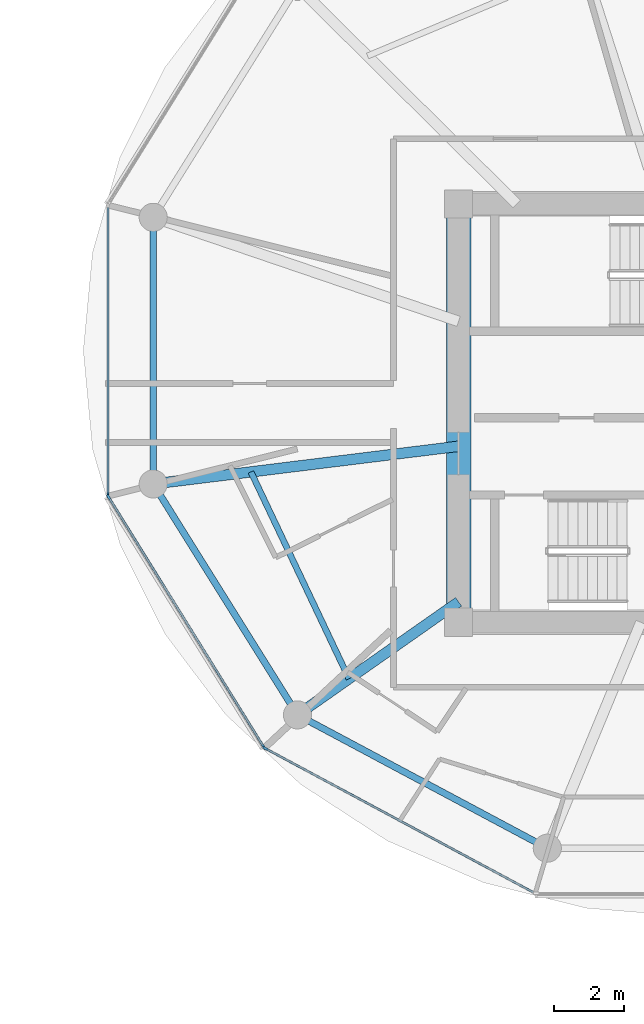
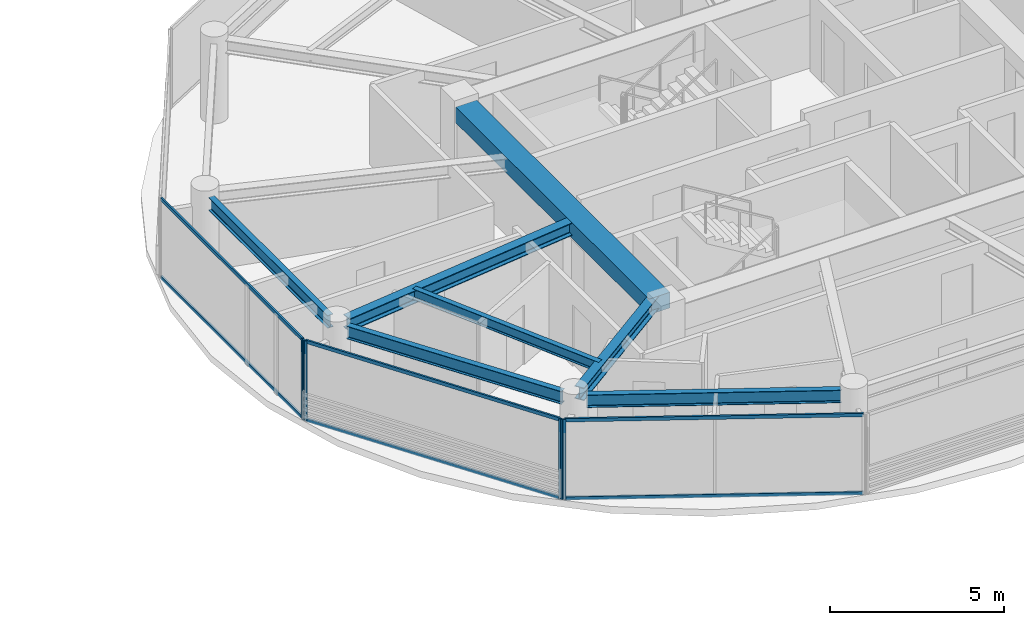
# One storey, part 6 of 23: 10 members, 7 beams, 3 elements without a shape of their own.
"""IFC4 building model written with IfcOpenShell, lengths in metres."""

from ifc_helpers import new_model, si_unit, direction, frame, origin, origin_2d, place, context, subcontext, project, spatial, rectangle, i_section, extrude, source, transform, mapped, material, layer, layer_set, material_profile, profile_set, type_object, type_shapes, element, aggregate, save


model = new_model("IFC4")

# Units and contexts
model_context = context("Model", 3, precision=1e-05, world=origin(), true_north=direction((0.0, 1.0)))
body_context = subcontext(model_context, "Body", "Model", "MODEL_VIEW")
ifc_project = project(units=[si_unit("LENGTHUNIT", "METRE"), si_unit("AREAUNIT", "SQUARE_METRE"), si_unit("VOLUMEUNIT", "CUBIC_METRE"), si_unit("PLANEANGLEUNIT", "RADIAN"), si_unit("MASSUNIT", "GRAM", prefix="KILO")], contexts=[model_context])

# Site, building, storey
site_placement = place(None, origin())
site = spatial("IfcSite", under=ifc_project, at=site_placement, CompositionType="ELEMENT")
building_placement = place(site_placement, origin())
building = spatial("IfcBuilding", under=site, at=building_placement, Name="Norrkilde Senior Care Towers", CompositionType="ELEMENT")
storey_placement = place(building_placement, frame((0.0, 0.0, 173.949951171875)))
storey = spatial("IfcBuildingStorey", under=building, at=storey_placement, Name="L54", CompositionType="ELEMENT", Elevation=173.949951171875)

# Beams
ifc_material_1 = material(Name="Concrete C60/75", Category="concrete")
ifc_material_profile_1 = material_profile(ifc_material_1, rectangle(XDim=0.699951171875, YDim=0.550048828125, at=origin_2d()), Name="RC BM 700x550")
ifc_profile_set_1 = profile_set([ifc_material_profile_1], Name="Concrete C60/75")
beam_type_1 = type_object("IfcBeamType", Name="Core Portal Coupling Beam 700x550", PredefinedType="USERDEFINED", material=ifc_profile_set_1)
shared_shape_1 = source(origin(), body_context, "Body", "SweptSolid", [
    extrude(rectangle(XDim=0.699951171875, YDim=0.550048828125, at=origin_2d()), origin(), (0.0, 0.0, 1.0), 11.14013671875),
])
type_shapes(beam_type_1, [shared_shape_1])
beam_1_placement = place(storey_placement, frame((20.35009765625, -5.570068359375, 2.53515625), z_axis=(0.0, 1.0, 0.0), x_axis=(-1.0, 0.0, 0.0)))
element("IfcBeam", 1, at=beam_1_placement, inside=storey, type_object=beam_type_1, Name="L54 Core E W Coupling Girder", ObjectType="GIRDER", PredefinedType="USERDEFINED", context=body_context, shape_type="MappedRepresentation", body=[
    mapped(shared_shape_1, transform((0.0, 0.0, 0.0), x_axis=(1.0, 0.0, 0.0), y_axis=(0.0, 1.0, 0.0), z_axis=(0.0, 0.0, 1.0), scale=1.0)),
])
ifc_material_2 = material(Name="Steel S355", Category="steel")
ifc_material_profile_2 = material_profile(ifc_material_2, i_section(OverallWidth=0.18994140625, OverallDepth=0.449951171875, WebThickness=0.009521484375, FlangeThickness=0.0146484375, FilletRadius=0.02099609375, at=origin_2d()), Name="IPE 450")
ifc_profile_set_2 = profile_set([ifc_material_profile_2], Name="Steel S355")
beam_type_2 = type_object("IfcBeamType", Name="Perimeter Ring Spandrel Z3 IPE450", PredefinedType="SPANDREL", material=ifc_profile_set_2)
shared_shape_2 = source(origin(), body_context, "Body", "SweptSolid", [
    extrude(i_section(OverallWidth=0.18994140625, OverallDepth=0.449951171875, WebThickness=0.009521484375, FlangeThickness=0.0146484375, FilletRadius=0.02099609375, at=origin_2d()), origin(), (0.0, 0.0, 1.0), 6.86328125),
])
beam_2_placement = place(storey_placement, frame((11.6650390625, 5.20703125, 2.5849609375), z_axis=(0.0, -1.0, 0.0), x_axis=(1.0, 0.0, 0.0)))
element("IfcBeam", 2, at=beam_2_placement, inside=storey, type_object=beam_type_2, Name="L54 Drum E Perimeter Spandrel 06", PredefinedType="SPANDREL", context=body_context, shape_type="MappedRepresentation", body=[
    mapped(shared_shape_2, transform((0.0, 0.0, 0.0), x_axis=(1.0, 0.0, 0.0), y_axis=(0.0, 1.0, 0.0), z_axis=(0.0, 0.0, 1.0), scale=1.0)),
])
shared_shape_3 = source(origin(), body_context, "Body", "SweptSolid", [
    extrude(i_section(OverallWidth=0.18994140625, OverallDepth=0.449951171875, WebThickness=0.009521484375, FlangeThickness=0.0146484375, FilletRadius=0.02099609375, at=origin_2d()), origin(), (0.0, 0.0, 1.0), 7.023193359375),
])
beam_3_placement = place(storey_placement, frame((11.855712890625, -2.32177734375, 2.5849609375), z_axis=(0.529805197269, -0.848119362441, 0.0), x_axis=(0.848119362441, 0.529805197269, 0.0)))
element("IfcBeam", 3, at=beam_3_placement, inside=storey, type_object=beam_type_2, Name="L54 Drum E Perimeter Spandrel 07", PredefinedType="SPANDREL", context=body_context, shape_type="MappedRepresentation", body=[
    mapped(shared_shape_3, transform((0.0, 0.0, 0.0), x_axis=(1.0, 0.0, 0.0), y_axis=(0.0, 1.0, 0.0), z_axis=(0.0, 0.0, 1.0), scale=1.0)),
])
shared_shape_4 = source(origin(), body_context, "Body", "SweptSolid", [
    extrude(i_section(OverallWidth=0.18994140625, OverallDepth=0.449951171875, WebThickness=0.009521484375, FlangeThickness=0.0146484375, FilletRadius=0.02099609375, at=origin_2d()), origin(), (0.0, 0.0, 1.0), 7.333984375),
])
type_shapes(beam_type_2, [shared_shape_2, shared_shape_3, shared_shape_4])
beam_4_placement = place(storey_placement, frame((16.0849609375, -8.753173828125, 2.5849609375), z_axis=(0.882234038987, -0.470811109101, 0.0), x_axis=(0.470811109101, 0.882234038987, 0.0)))
element("IfcBeam", 4, at=beam_4_placement, inside=storey, type_object=beam_type_2, Name="L54 Drum E Perimeter Spandrel 08", PredefinedType="SPANDREL", context=body_context, shape_type="MappedRepresentation", body=[
    mapped(shared_shape_4, transform((0.0, 0.0, 0.0), x_axis=(1.0, 0.0, 0.0), y_axis=(0.0, 1.0, 0.0), z_axis=(0.0, 0.0, 1.0), scale=1.0)),
])
ifc_material_profile_3 = material_profile(ifc_material_2, i_section(OverallWidth=0.300048828125, OverallDepth=0.449951171875, WebThickness=0.013916015625, FlangeThickness=0.02587890625, FilletRadius=0.027099609375, at=origin_2d()), Name="HEB 450")
ifc_profile_set_3 = profile_set([ifc_material_profile_3], Name="Steel S355")
beam_type_3 = type_object("IfcBeamType", Name="Radial Floor Beam Z3 HEB450", PredefinedType="BEAM", material=ifc_profile_set_3)
shared_shape_5 = source(origin(), body_context, "Body", "SweptSolid", [
    extrude(i_section(OverallWidth=0.300048828125, OverallDepth=0.449951171875, WebThickness=0.013916015625, FlangeThickness=0.02587890625, FilletRadius=0.027099609375, at=origin_2d()), origin(), (0.0, 0.0, 1.0), 5.23828125),
])
beam_5_placement = place(storey_placement, frame((20.35009765625, -5.3681640625, 2.5849609375), z_axis=(-0.818592061291, -0.574375345215, 0.0), x_axis=(0.574375345215, -0.818592061291, 0.0)))
element("IfcBeam", 5, at=beam_5_placement, inside=storey, type_object=beam_type_3, Name="L54 Drum E Radial Floor Beam 08", PredefinedType="BEAM", context=body_context, shape_type="MappedRepresentation", body=[
    mapped(shared_shape_5, transform((0.0, 0.0, 0.0), x_axis=(1.0, 0.0, 0.0), y_axis=(0.0, 1.0, 0.0), z_axis=(0.0, 0.0, 1.0), scale=1.0)),
])
shared_shape_6 = source(origin(), body_context, "Body", "SweptSolid", [
    extrude(i_section(OverallWidth=0.300048828125, OverallDepth=0.449951171875, WebThickness=0.013916015625, FlangeThickness=0.02587890625, FilletRadius=0.027099609375, at=origin_2d()), origin(), (0.0, 0.0, 1.0), 8.390869140625),
])
type_shapes(beam_type_3, [shared_shape_5, shared_shape_6])
beam_6_placement = place(storey_placement, frame((20.35009765625, -0.9443359375, 2.5849609375), z_axis=(-0.99246916403, -0.122494728249, 0.0), x_axis=(0.122494728249, -0.99246916403, 0.0)))
element("IfcBeam", 6, at=beam_6_placement, inside=storey, type_object=beam_type_3, Name="L54 Drum E Radial Floor Beam 07", PredefinedType="BEAM", context=body_context, shape_type="MappedRepresentation", body=[
    mapped(shared_shape_6, transform((0.0, 0.0, 0.0), x_axis=(1.0, 0.0, 0.0), y_axis=(0.0, 1.0, 0.0), z_axis=(0.0, 0.0, 1.0), scale=1.0)),
])
ifc_material_profile_4 = material_profile(ifc_material_2, i_section(OverallWidth=0.169921875, OverallDepth=0.360107421875, WebThickness=0.008056640625, FlangeThickness=0.0126953125, FilletRadius=0.01806640625, at=origin_2d()), Name="IPE 360")
ifc_profile_set_4 = profile_set([ifc_material_profile_4], Name="Steel S355")
beam_type_4 = type_object("IfcBeamType", Name="Secondary Floor Joist IPE360", PredefinedType="JOIST", material=ifc_profile_set_4)
shared_shape_7 = source(origin(), body_context, "Body", "SweptSolid", [
    extrude(i_section(OverallWidth=0.169921875, OverallDepth=0.360107421875, WebThickness=0.008056640625, FlangeThickness=0.0126953125, FilletRadius=0.01806640625, at=origin_2d()), origin(), (0.0, 0.0, 1.0), 6.50927734375),
])
type_shapes(beam_type_4, [shared_shape_7])
beam_7_placement = place(storey_placement, frame((14.4443359375, -1.67333984375, 2.630126953125), z_axis=(0.428544169129, -0.90352083269, 0.0), x_axis=(0.90352083269, 0.428544169129, 0.0)))
element("IfcBeam", 7, at=beam_7_placement, inside=storey, type_object=beam_type_4, Name="L54 Drum E Secondary Floor Joist 3", PredefinedType="JOIST", context=body_context, shape_type="MappedRepresentation", body=[
    mapped(shared_shape_7, transform((0.0, 0.0, 0.0), x_axis=(1.0, 0.0, 0.0), y_axis=(0.0, 1.0, 0.0), z_axis=(0.0, 0.0, 1.0), scale=1.0)),
])

# Curtain wall, member
ifc_material_3 = material(Name="Triple Low-E Insulated Glazing", Category="glass")
ifc_layer = layer(ifc_material_3, 0.18994140625)
ifc_layer_set = layer_set([ifc_layer], Name="Triple Low-E Insulated Glazing")
curtain_wall_type = type_object("IfcCurtainWallType", Name="CW4 Zone 3 Senior Residence Curtain Wall", PredefinedType="NOTDEFINED", material=ifc_layer_set)
curtain_wall_1_placement = place(storey_placement, origin())
curtain_wall_1 = element("IfcCurtainWall", 8, at=curtain_wall_1_placement, inside=storey, type_object=curtain_wall_type, Name="L54 Drum E Curtain Wall 05", PredefinedType="NOTDEFINED")
ifc_material_4 = material(Name="Anodised Aluminium", Category="aluminium")
ifc_material_profile_5 = material_profile(ifc_material_4, rectangle(XDim=0.06494140625, YDim=0.14990234375, at=origin_2d()), Name="ALU MULL 65x150")
ifc_profile_set_5 = profile_set([ifc_material_profile_5], Name="Anodised Aluminium")
member_type_1 = type_object("IfcMemberType", Name="Curtain Wall Mullion Z3-Z4 65x150", PredefinedType="MULLION", material=ifc_profile_set_5)
shared_shape_8 = source(origin(), body_context, "Body", "SweptSolid", [
    extrude(rectangle(XDim=0.06494140625, YDim=0.14990234375, at=origin_2d()), origin(), (0.0, 0.0, 1.0), 2.81005859375),
])
type_shapes(member_type_1, [shared_shape_8])
member_1_placement = place(storey_placement, frame((10.38037109375, -2.328125, 0.0), z_axis=(0.0, 0.0, 1.0), x_axis=(-1.0, 0.0, 0.0)))
member_1 = element("IfcMember", 9, at=member_1_placement, type_object=member_type_1, Name="CW-4 mullion 1", PredefinedType="MULLION", context=body_context, shape_type="MappedRepresentation", body=[
    mapped(shared_shape_8, transform((0.0, 0.0, 0.0), x_axis=(1.0, 0.0, 0.0), y_axis=(0.0, 1.0, 0.0), z_axis=(0.0, 0.0, 1.0), scale=1.0)),
])

# Curtain wall, members
curtain_wall_2_placement = place(storey_placement, origin())
curtain_wall_2 = element("IfcCurtainWall", 10, at=curtain_wall_2_placement, inside=storey, type_object=curtain_wall_type, Name="L54 Drum E Curtain Wall 06", PredefinedType="NOTDEFINED")
member_2_placement = place(storey_placement, frame((14.809814453125, -9.49658203125, 0.0), z_axis=(0.0, 0.0, 1.0), x_axis=(-0.84963405474, -0.52737270789, 0.0)))
member_2 = element("IfcMember", 11, at=member_2_placement, type_object=member_type_1, Name="CW-4 mullion 1", PredefinedType="MULLION", context=body_context, shape_type="MappedRepresentation", body=[
    mapped(shared_shape_8, transform((0.0, 0.0, 0.0), x_axis=(1.0, 0.0, 0.0), y_axis=(0.0, 1.0, 0.0), z_axis=(0.0, 0.0, 1.0), scale=1.0)),
])
member_3_placement = place(storey_placement, frame((10.3974609375, -2.38818359375, 0.0), z_axis=(0.0, 0.0, 1.0), x_axis=(-0.84963405474, -0.52737270789, 0.0)))
member_3 = element("IfcMember", 12, at=member_3_placement, type_object=member_type_1, Name="CW-4 mullion 2", PredefinedType="MULLION", context=body_context, shape_type="MappedRepresentation", body=[
    mapped(shared_shape_8, transform((0.0, 0.0, 0.0), x_axis=(1.0, 0.0, 0.0), y_axis=(0.0, 1.0, 0.0), z_axis=(0.0, 0.0, 1.0), scale=1.0)),
])

# Curtain wall, member
curtain_wall_3_placement = place(storey_placement, origin())
curtain_wall_3 = element("IfcCurtainWall", 13, at=curtain_wall_3_placement, inside=storey, type_object=curtain_wall_type, Name="L54 Drum E Curtain Wall 07", PredefinedType="NOTDEFINED")
member_4_placement = place(storey_placement, frame((14.85546875, -9.53955078125, 0.0), z_axis=(0.0, 0.0, 1.0), x_axis=(-0.47311715104, -0.880999524059, 0.0)))
member_4 = element("IfcMember", 14, at=member_4_placement, type_object=member_type_1, Name="CW-4 mullion 2", PredefinedType="MULLION", context=body_context, shape_type="MappedRepresentation", body=[
    mapped(shared_shape_8, transform((0.0, 0.0, 0.0), x_axis=(1.0, 0.0, 0.0), y_axis=(0.0, 1.0, 0.0), z_axis=(0.0, 0.0, 1.0), scale=1.0)),
])

# Member
ifc_material_profile_6 = material_profile(ifc_material_4, rectangle(XDim=0.06005859375, YDim=0.1201171875, at=origin_2d()), Name="ALU TRAN 60x120")
ifc_profile_set_6 = profile_set([ifc_material_profile_6], Name="Anodised Aluminium")
member_type_2 = type_object("IfcMemberType", Name="Curtain Wall Transom Typical 60x120", PredefinedType="USERDEFINED", material=ifc_profile_set_6)
shared_shape_9 = source(origin(), body_context, "Body", "SweptSolid", [
    extrude(rectangle(XDim=0.06005859375, YDim=0.1201171875, at=origin_2d()), origin(), (0.0, 0.0, 1.0), 8.301513671875),
])
member_5_placement = place(storey_placement, frame((14.792724609375, -9.468994140625, 0.030029296875), z_axis=(-0.527368718394, 0.849636531029, 0.0), x_axis=(-0.849636531029, -0.527368718394, 0.0)))
member_5 = element("IfcMember", 15, at=member_5_placement, type_object=member_type_2, Name="CW-4 transom 1.1", ObjectType="TRANSOM", PredefinedType="USERDEFINED", context=body_context, shape_type="MappedRepresentation", body=[
    mapped(shared_shape_9, transform((0.0, 0.0, 0.0), x_axis=(1.0, 0.0, 0.0), y_axis=(0.0, 1.0, 0.0), z_axis=(0.0, 0.0, 1.0), scale=1.0)),
])

member_6_placement = place(storey_placement, frame((14.792724609375, -9.468994140625, 2.780029296875), z_axis=(-0.527368718394, 0.849636531029, 0.0), x_axis=(-0.849636531029, -0.527368718394, 0.0)))
member_6 = element("IfcMember", 16, at=member_6_placement, type_object=member_type_2, Name="CW-4 transom 1.2", ObjectType="TRANSOM", PredefinedType="USERDEFINED", context=body_context, shape_type="MappedRepresentation", body=[
    mapped(shared_shape_9, transform((0.0, 0.0, 0.0), x_axis=(1.0, 0.0, 0.0), y_axis=(0.0, 1.0, 0.0), z_axis=(0.0, 0.0, 1.0), scale=1.0)),
])

aggregate(curtain_wall_2, [member_2, member_3, member_5, member_6])

shared_shape_10 = source(origin(), body_context, "Body", "SweptSolid", [
    extrude(rectangle(XDim=0.06005859375, YDim=0.1201171875, at=origin_2d()), origin(), (0.0, 0.0, 1.0), 8.61181640625),
])
member_7_placement = place(storey_placement, frame((22.47119140625, -13.62939453125, 0.030029296875), z_axis=(-0.880993991641, 0.473127452906, 0.0), x_axis=(-0.473127452906, -0.880993991641, 0.0)))
member_7 = element("IfcMember", 17, at=member_7_placement, type_object=member_type_2, Name="CW-4 transom 1.1", ObjectType="TRANSOM", PredefinedType="USERDEFINED", context=body_context, shape_type="MappedRepresentation", body=[
    mapped(shared_shape_10, transform((0.0, 0.0, 0.0), x_axis=(1.0, 0.0, 0.0), y_axis=(0.0, 1.0, 0.0), z_axis=(0.0, 0.0, 1.0), scale=1.0)),
])

member_8_placement = place(storey_placement, frame((22.47119140625, -13.62939453125, 2.780029296875), z_axis=(-0.880993991641, 0.473127452906, 0.0), x_axis=(-0.473127452906, -0.880993991641, 0.0)))
member_8 = element("IfcMember", 18, at=member_8_placement, type_object=member_type_2, Name="CW-4 transom 1.2", ObjectType="TRANSOM", PredefinedType="USERDEFINED", context=body_context, shape_type="MappedRepresentation", body=[
    mapped(shared_shape_10, transform((0.0, 0.0, 0.0), x_axis=(1.0, 0.0, 0.0), y_axis=(0.0, 1.0, 0.0), z_axis=(0.0, 0.0, 1.0), scale=1.0)),
])

aggregate(curtain_wall_3, [member_4, member_7, member_8])

shared_shape_11 = source(origin(), body_context, "Body", "SweptSolid", [
    extrude(rectangle(XDim=0.06005859375, YDim=0.1201171875, at=origin_2d()), origin(), (0.0, 0.0, 1.0), 8.141845703125),
])
type_shapes(member_type_2, [shared_shape_9, shared_shape_10, shared_shape_11])
member_9_placement = place(storey_placement, frame((10.38037109375, -2.295654296875, 0.030029296875), z_axis=(0.0, 1.0, 0.0), x_axis=(-1.0, 0.0, 0.0)))
member_9 = element("IfcMember", 19, at=member_9_placement, type_object=member_type_2, Name="CW-4 transom 1.1", ObjectType="TRANSOM", PredefinedType="USERDEFINED", context=body_context, shape_type="MappedRepresentation", body=[
    mapped(shared_shape_11, transform((0.0, 0.0, 0.0), x_axis=(1.0, 0.0, 0.0), y_axis=(0.0, 1.0, 0.0), z_axis=(0.0, 0.0, 1.0), scale=1.0)),
])

member_10_placement = place(storey_placement, frame((10.38037109375, -2.295654296875, 2.780029296875), z_axis=(0.0, 1.0, 0.0), x_axis=(-1.0, 0.0, 0.0)))
member_10 = element("IfcMember", 20, at=member_10_placement, type_object=member_type_2, Name="CW-4 transom 1.2", ObjectType="TRANSOM", PredefinedType="USERDEFINED", context=body_context, shape_type="MappedRepresentation", body=[
    mapped(shared_shape_11, transform((0.0, 0.0, 0.0), x_axis=(1.0, 0.0, 0.0), y_axis=(0.0, 1.0, 0.0), z_axis=(0.0, 0.0, 1.0), scale=1.0)),
])

aggregate(curtain_wall_1, [member_1, member_9, member_10])

save(model, "model.ifc")
